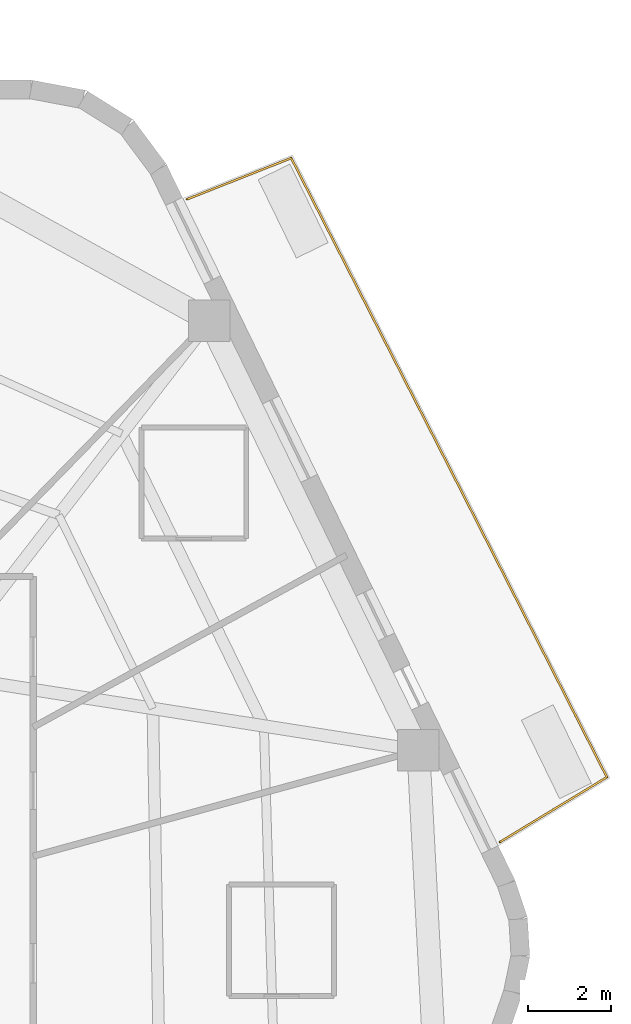
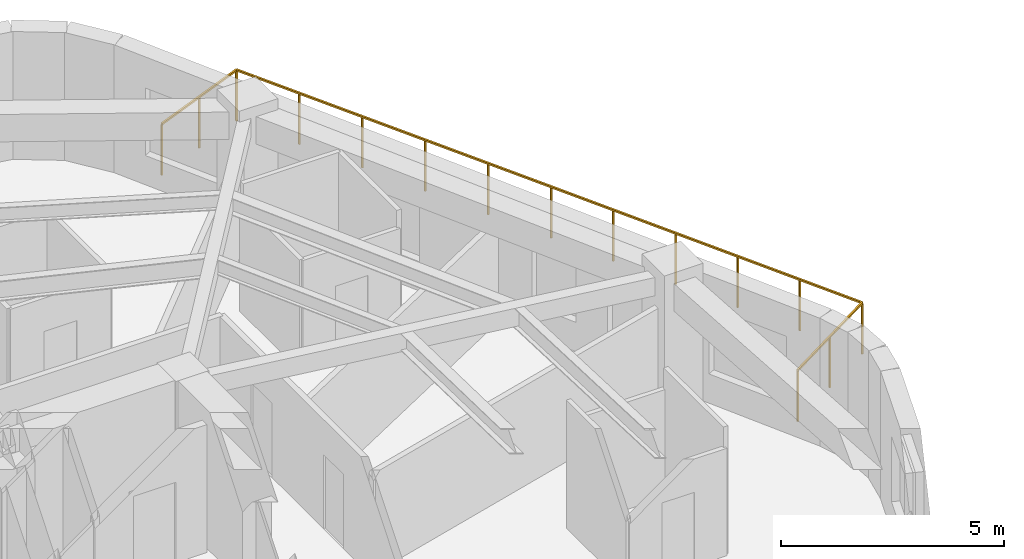
# One storey, part 10 of 10: 1 railing.
"""IFC4 building model written with IfcOpenShell, lengths in metres."""

from ifc_helpers import new_model, si_unit, direction, frame, origin, origin_2d, place, context, subcontext, project, spatial, rectangle, extrude, material, layer, layer_set, type_object, element, save


model = new_model("IFC4")

# Units and contexts
model_context = context("Model", 3, precision=1e-05, world=origin(), true_north=direction((0.0, 1.0)))
body_context = subcontext(model_context, "Body", "Model", "MODEL_VIEW")
ifc_project = project(units=[si_unit("LENGTHUNIT", "METRE"), si_unit("AREAUNIT", "SQUARE_METRE"), si_unit("VOLUMEUNIT", "CUBIC_METRE"), si_unit("PLANEANGLEUNIT", "RADIAN"), si_unit("MASSUNIT", "GRAM", prefix="KILO")], contexts=[model_context])

# Site, building, storey
site_placement = place(None, origin())
site = spatial("IfcSite", under=ifc_project, at=site_placement, CompositionType="ELEMENT")
building_placement = place(site_placement, origin())
building = spatial("IfcBuilding", under=site, at=building_placement, Name="Kilnhurst Terrace Hotel", CompositionType="ELEMENT")
storey_placement = place(building_placement, frame((0.0, 0.0, 244.5)))
storey = spatial("IfcBuildingStorey", under=building, at=storey_placement, Name="L61", CompositionType="ELEMENT", Elevation=244.5)

# Railing
ifc_material = material(Name="Laminated SentryGlas and Stainless Steel AISI 316L Balustrade", Category="steel")
ifc_layer = layer(ifc_material, 0.070068359375, Name="Laminated SentryGlas and Stainless Steel AISI 316L Balustrade")
ifc_layer_set = layer_set([ifc_layer], Name="Laminated SentryGlas and Stainless Steel AISI 316L Balustrade")
railing_type = type_object("IfcRailingType", Name="RLG-BAL-1420", PredefinedType="BALUSTRADE", material=ifc_layer_set)
railing_placement = place(storey_placement, frame((15.0546875, 18.933349609375, 0.0)))
element("IfcRailing", 1, at=railing_placement, inside=storey, type_object=railing_type, Name="L61 Exterior Terrace Guardrail BAL-L1A.1", PredefinedType="BALUSTRADE", context=body_context, shape_type="SweptSolid", body=[
    extrude(rectangle(XDim=0.048095703125, YDim=0.048095703125, at=origin_2d()), frame((0.0, 0.0, 1.39599609375), z_axis=(0.929913162101, 0.367779160574, 0.0), x_axis=(-0.367779160574, 0.929913162101, 0.0)), (0.0, 0.0, 1.0), 2.694580078125),
    extrude(rectangle(XDim=0.048095703125, YDim=0.048095703125, at=origin_2d()), frame((2.505615234375, 0.990966796875, 1.39599609375), z_axis=(0.455129479154, -0.890425267614, 0.0), x_axis=(0.890425267614, 0.455129479154, 0.0)), (0.0, 0.0, 1.0), 8.4072265625),
    extrude(rectangle(XDim=0.048095703125, YDim=0.048095703125, at=origin_2d()), frame((6.33203125, -6.4951171875, 1.39599609375), z_axis=(0.45338853952, -0.891312982196, 0.0), x_axis=(0.891312982196, 0.45338853952, 0.0)), (0.0, 0.0, 1.0), 8.320068359375),
    extrude(rectangle(XDim=0.048095703125, YDim=0.048095703125, at=origin_2d()), frame((10.104248046875, -13.910888671875, 1.39599609375), z_axis=(-0.854990626614, -0.518643450168, 0.0), x_axis=(0.518643450168, -0.854990626614, 0.0)), (0.0, 0.0, 1.0), 3.008056640625),
    extrude(rectangle(XDim=0.0419921875, YDim=0.0419921875, at=origin_2d()), origin(), (0.0, 0.0, 1.0), 1.371826171875),
    extrude(rectangle(XDim=0.0419921875, YDim=0.0419921875, at=origin_2d()), frame((1.2529296875, 0.49560546875, 0.0)), (0.0, 0.0, 1.0), 1.371826171875),
    extrude(rectangle(XDim=0.0419921875, YDim=0.0419921875, at=origin_2d()), frame((2.505615234375, 0.990966796875, 0.0)), (0.0, 0.0, 1.0), 1.371826171875),
    extrude(rectangle(XDim=0.0419921875, YDim=0.0419921875, at=origin_2d()), frame((3.27099609375, -0.50634765625, 0.0)), (0.0, 0.0, 1.0), 1.371826171875),
    extrude(rectangle(XDim=0.0419921875, YDim=0.0419921875, at=origin_2d()), frame((4.0361328125, -2.00341796875, 0.0)), (0.0, 0.0, 1.0), 1.371826171875),
    extrude(rectangle(XDim=0.0419921875, YDim=0.0419921875, at=origin_2d()), frame((4.801513671875, -3.500732421875, 0.0)), (0.0, 0.0, 1.0), 1.371826171875),
    extrude(rectangle(XDim=0.0419921875, YDim=0.0419921875, at=origin_2d()), frame((5.566650390625, -4.997802734375, 0.0)), (0.0, 0.0, 1.0), 1.371826171875),
    extrude(rectangle(XDim=0.0419921875, YDim=0.0419921875, at=origin_2d()), frame((6.33203125, -6.4951171875, 0.0)), (0.0, 0.0, 1.0), 1.371826171875),
    extrude(rectangle(XDim=0.0419921875, YDim=0.0419921875, at=origin_2d()), frame((7.08642578125, -7.978271484375, 0.0)), (0.0, 0.0, 1.0), 1.371826171875),
    extrude(rectangle(XDim=0.0419921875, YDim=0.0419921875, at=origin_2d()), frame((7.8408203125, -9.46142578125, 0.0)), (0.0, 0.0, 1.0), 1.371826171875),
    extrude(rectangle(XDim=0.0419921875, YDim=0.0419921875, at=origin_2d()), frame((8.595458984375, -10.944580078125, 0.0)), (0.0, 0.0, 1.0), 1.371826171875),
    extrude(rectangle(XDim=0.0419921875, YDim=0.0419921875, at=origin_2d()), frame((9.349853515625, -12.427734375, 0.0)), (0.0, 0.0, 1.0), 1.371826171875),
    extrude(rectangle(XDim=0.0419921875, YDim=0.0419921875, at=origin_2d()), frame((10.104248046875, -13.910888671875, 0.0)), (0.0, 0.0, 1.0), 1.371826171875),
    extrude(rectangle(XDim=0.0419921875, YDim=0.0419921875, at=origin_2d()), frame((8.818359375, -14.69091796875, 0.0)), (0.0, 0.0, 1.0), 1.371826171875),
    extrude(rectangle(XDim=0.0419921875, YDim=0.0419921875, at=origin_2d()), frame((7.532470703125, -15.470947265625, 0.0)), (0.0, 0.0, 1.0), 1.371826171875),
])

save(model, "model.ifc")
